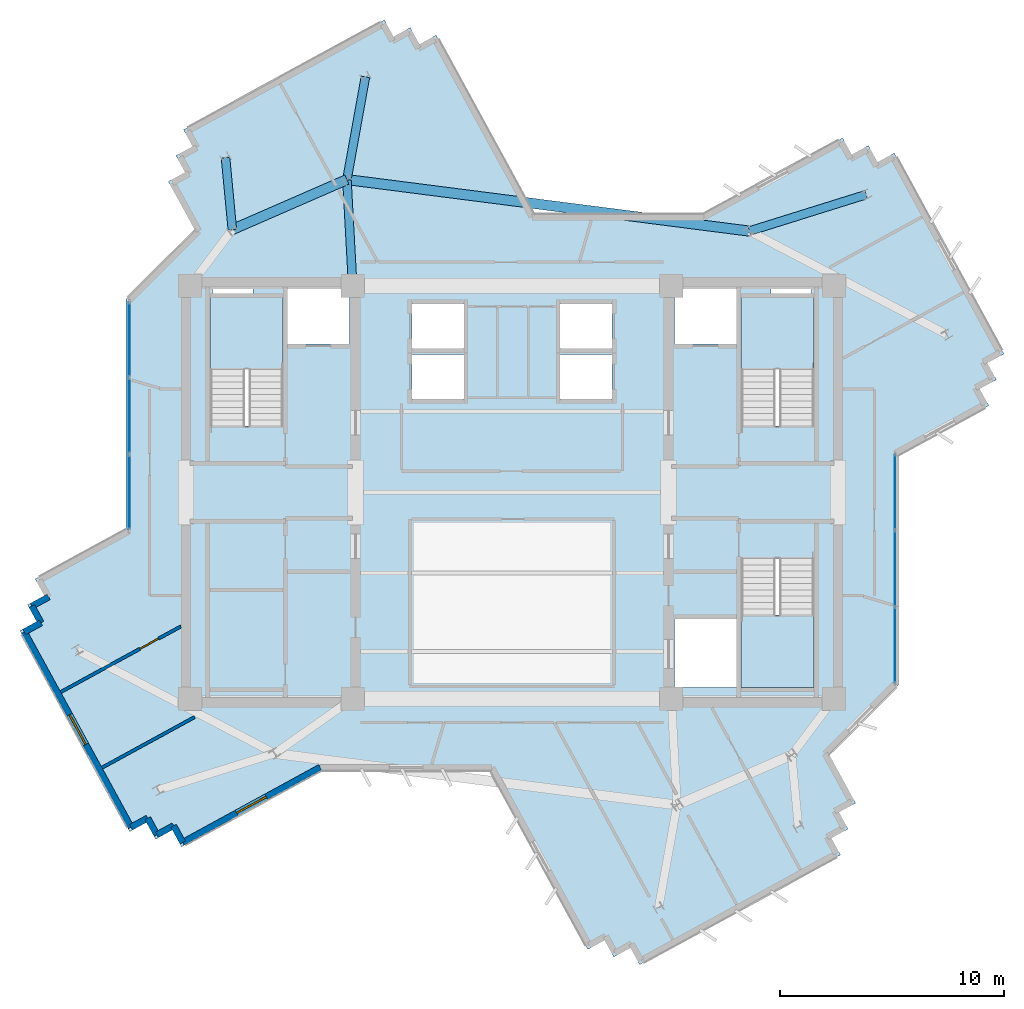
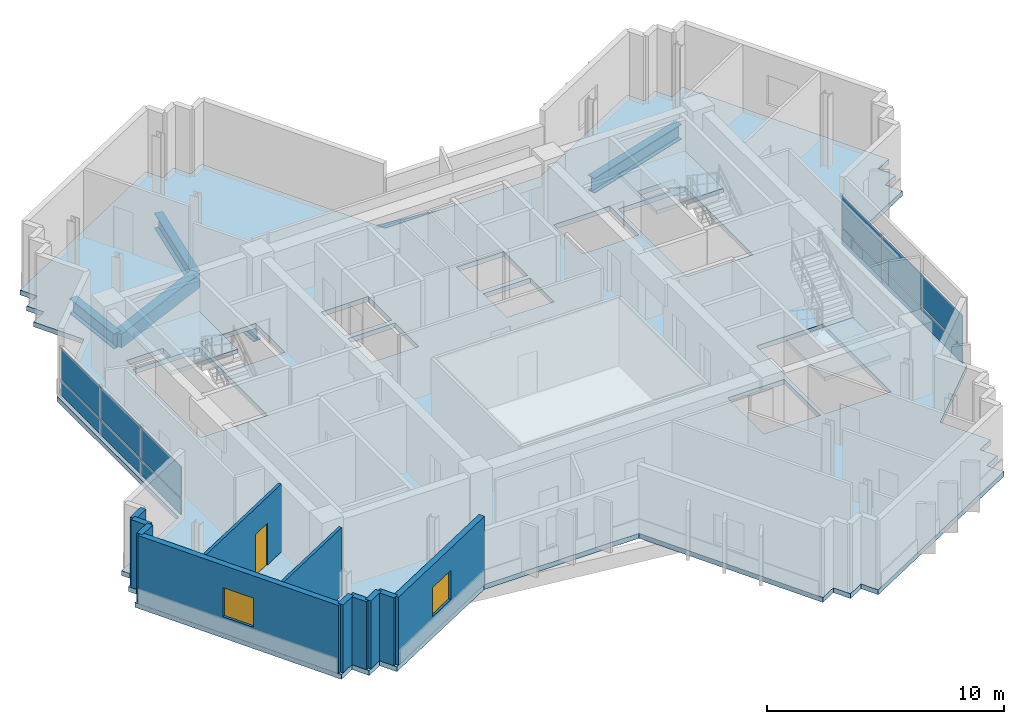
# One storey, part 4 of 13: 12 plates, 11 walls, 6 beams, 4 slabs, 2 windows, 1 door, 3 openings, 5 elements without a shape of their own.
"""IFC4 building model written with IfcOpenShell, lengths in metres."""

from ifc_helpers import new_model, si_unit, direction, frame, frame_2d, origin, origin_2d, place, context, subcontext, project, spatial, polyline, rectangle, i_section, outline, extrude, source, transform, mapped, material, layer, layer_set, material_profile, profile_set, type_object, element, fill, aggregate, save


model = new_model("IFC4")

# Units and contexts
model_context = context("Model", 3, precision=1e-05, world=origin(), true_north=direction((0.0, 1.0)))
body_context = subcontext(model_context, "Body", "Model", "MODEL_VIEW")
ifc_project = project(units=[si_unit("LENGTHUNIT", "METRE"), si_unit("AREAUNIT", "SQUARE_METRE"), si_unit("VOLUMEUNIT", "CUBIC_METRE"), si_unit("PLANEANGLEUNIT", "RADIAN"), si_unit("MASSUNIT", "GRAM", prefix="KILO")], contexts=[model_context])

# Site, building, storey
site_placement = place(None, origin())
site = spatial("IfcSite", under=ifc_project, at=site_placement, CompositionType="ELEMENT")
building_placement = place(site_placement, origin())
building = spatial("IfcBuilding", under=site, at=building_placement, Name="Zahravan Cultural Tower", CompositionType="ELEMENT")
storey_placement = place(building_placement, frame((0.0, 0.0, 254.10009765625)))
storey = spatial("IfcBuildingStorey", under=building, at=storey_placement, Name="L60", CompositionType="ELEMENT", Elevation=254.10009765625)

# Beams
ifc_material_1 = material(Name="Concrete C45/55", Category="concrete")
ifc_material_profile_1 = material_profile(ifc_material_1, rectangle(XDim=0.449951171875, YDim=0.719970703125, at=origin_2d()), Name="RC450X720")
ifc_profile_set_1 = profile_set([ifc_material_profile_1], Name="Concrete C45/55")
beam_type_1 = type_object("IfcBeamType", Name="BM-SP-RC450X720", PredefinedType="SPANDREL", material=ifc_profile_set_1)
shared_shape_1 = source(origin(), body_context, "Body", "SweptSolid", [
    extrude(rectangle(XDim=0.449951171875, YDim=0.719970703125, at=origin_2d()), origin(), (0.0, 0.0, 1.0), 18.081787109375),
])
beam_1_placement = place(storey_placement, frame((46.577880859375, 38.640625, -0.610107421875), z_axis=(-0.991900954377, 0.127013765812, 0.0), x_axis=(-0.127013765812, -0.991900954377, 0.0)))
element("IfcBeam", 1, at=beam_1_placement, inside=storey, type_object=beam_type_1, Name="L60 Beam SP-L60-22", PredefinedType="SPANDREL", context=body_context, shape_type="MappedRepresentation", body=[
    mapped(shared_shape_1, transform((0.0, 0.0, 0.0), x_axis=(1.0, 0.0, 0.0), y_axis=(0.0, 1.0, 0.0), z_axis=(0.0, 0.0, 1.0), scale=1.0)),
])
shared_shape_2 = source(origin(), body_context, "Body", "SweptSolid", [
    extrude(rectangle(XDim=0.449951171875, YDim=0.719970703125, at=origin_2d()), origin(), (0.0, 0.0, 1.0), 5.570556640625),
])
beam_2_placement = place(storey_placement, frame((28.642578125, 40.937255859375, -0.610107421875), z_axis=(-0.9166445026, -0.399703459896, 0.0), x_axis=(0.399703459896, -0.9166445026, 0.0)))
element("IfcBeam", 2, at=beam_2_placement, inside=storey, type_object=beam_type_1, Name="L60 Beam SP-L60-23", PredefinedType="SPANDREL", context=body_context, shape_type="MappedRepresentation", body=[
    mapped(shared_shape_2, transform((0.0, 0.0, 0.0), x_axis=(1.0, 0.0, 0.0), y_axis=(0.0, 1.0, 0.0), z_axis=(0.0, 0.0, 1.0), scale=1.0)),
])
ifc_material_2 = material(Name="Steel ASTM A992 Grade 50", Category="steel")
ifc_material_profile_2 = material_profile(ifc_material_2, i_section(OverallWidth=0.382080078125, OverallDepth=0.779052734375, WebThickness=0.01806640625, FlangeThickness=0.030029296875, FilletRadius=0.01904296875, at=origin_2d()), Name="W30X191")
ifc_profile_set_2 = profile_set([ifc_material_profile_2], Name="Steel ASTM A992 Grade 50")
beam_type_2 = type_object("IfcBeamType", Name="BM-G-W30X191", PredefinedType="BEAM", material=ifc_profile_set_2)
shared_shape_3 = source(origin(), body_context, "Body", "SweptSolid", [
    extrude(i_section(OverallWidth=0.382080078125, OverallDepth=0.779052734375, WebThickness=0.01806640625, FlangeThickness=0.030029296875, FilletRadius=0.01904296875, at=origin_2d()), origin(), (0.0, 0.0, 1.0), 4.744384765625),
])
beam_3_placement = place(storey_placement, frame((28.89990234375, 36.199951171875, -0.6396484375), z_axis=(-0.054238739845, 0.998527996152, 0.0), x_axis=(-0.998527996152, -0.054238739845, 0.0)))
element("IfcBeam", 3, at=beam_3_placement, inside=storey, type_object=beam_type_2, Name="L60 Beam BG-L60-10", PredefinedType="BEAM", context=body_context, shape_type="MappedRepresentation", body=[
    mapped(shared_shape_3, transform((0.0, 0.0, 0.0), x_axis=(1.0, 0.0, 0.0), y_axis=(0.0, 1.0, 0.0), z_axis=(0.0, 0.0, 1.0), scale=1.0)),
])
shared_shape_4 = source(origin(), body_context, "Body", "SweptSolid", [
    extrude(i_section(OverallWidth=0.382080078125, OverallDepth=0.779052734375, WebThickness=0.01806640625, FlangeThickness=0.030029296875, FilletRadius=0.01904296875, at=origin_2d()), origin(), (0.0, 0.0, 1.0), 5.450927734375),
])
beam_4_placement = place(storey_placement, frame((46.577880859375, 38.640625, -0.6396484375), z_axis=(0.954416996605, 0.298476459025, 0.0), x_axis=(-0.298476459025, 0.954416996605, 0.0)))
element("IfcBeam", 4, at=beam_4_placement, inside=storey, type_object=beam_type_2, Name="L60 Beam BG-L60-13", PredefinedType="BEAM", context=body_context, shape_type="MappedRepresentation", body=[
    mapped(shared_shape_4, transform((0.0, 0.0, 0.0), x_axis=(1.0, 0.0, 0.0), y_axis=(0.0, 1.0, 0.0), z_axis=(0.0, 0.0, 1.0), scale=1.0)),
])
shared_shape_5 = source(origin(), body_context, "Body", "SweptSolid", [
    extrude(i_section(OverallWidth=0.382080078125, OverallDepth=0.779052734375, WebThickness=0.01806640625, FlangeThickness=0.030029296875, FilletRadius=0.01904296875, at=origin_2d()), origin(), (0.0, 0.0, 1.0), 4.65087890625),
])
beam_5_placement = place(storey_placement, frame((28.642578125, 40.937255859375, -0.6396484375), z_axis=(0.177425522697, 0.984134230629, 0.0), x_axis=(-0.984134230629, 0.177425522697, 0.0)))
element("IfcBeam", 5, at=beam_5_placement, inside=storey, type_object=beam_type_2, Name="L60 Beam BG-L60-14", PredefinedType="BEAM", context=body_context, shape_type="MappedRepresentation", body=[
    mapped(shared_shape_5, transform((0.0, 0.0, 0.0), x_axis=(1.0, 0.0, 0.0), y_axis=(0.0, 1.0, 0.0), z_axis=(0.0, 0.0, 1.0), scale=1.0)),
])
shared_shape_6 = source(origin(), body_context, "Body", "SweptSolid", [
    extrude(i_section(OverallWidth=0.382080078125, OverallDepth=0.779052734375, WebThickness=0.01806640625, FlangeThickness=0.030029296875, FilletRadius=0.01904296875, at=origin_2d()), origin(), (0.0, 0.0, 1.0), 3.218017578125),
])
beam_6_placement = place(storey_placement, frame((23.536376953125, 38.710693359375, -0.6396484375), z_axis=(-0.094454641962, 0.995529166128, 0.0), x_axis=(-0.995529166128, -0.094454641962, 0.0)))
element("IfcBeam", 6, at=beam_6_placement, inside=storey, type_object=beam_type_2, Name="L60 Beam BG-L60-15", PredefinedType="BEAM", context=body_context, shape_type="MappedRepresentation", body=[
    mapped(shared_shape_6, transform((0.0, 0.0, 0.0), x_axis=(1.0, 0.0, 0.0), y_axis=(0.0, 1.0, 0.0), z_axis=(0.0, 0.0, 1.0), scale=1.0)),
])

# Stair, slab
stair_type = type_object("IfcStairType", Name="STR-DL-1550-375", PredefinedType="HALF_TURN_STAIR", material=ifc_material_1)
stair_1_placement = place(storey_placement, origin())
stair_1 = element("IfcStair", 7, at=stair_1_placement, inside=storey, type_object=stair_type, Name="L60 West Core North Exit Stair ST-W1", PredefinedType="HALF_TURN_STAIR")
ifc_layer_1 = layer(ifc_material_1, 0.199951171875)
ifc_layer_set_1 = layer_set([ifc_layer_1], Name="Concrete C45/55")
slab_type_1 = type_object("IfcSlabType", Name="SL-STAIR-LND200", PredefinedType="LANDING", material=ifc_layer_set_1)
slab_1_placement = place(storey_placement, frame((0.0, 0.0, 1.6748046875)))
slab_1 = element("IfcSlab", 8, at=slab_1_placement, type_object=slab_type_1, Name="ST-W1 landing 1", PredefinedType="LANDING", context=body_context, shape_type="SweptSolid", body=[
    extrude(outline(polyline([(25.800048828125, 32.469970703125), (25.800048828125, 35.699951171875), (22.550048828125, 35.699951171875), (22.550048828125, 32.469970703125), (25.800048828125, 32.469970703125)])), origin(), (0.0, 0.0, 1.0), 0.2001953125),
])
aggregate(stair_1, [slab_1])

stair_2_placement = place(storey_placement, origin())
stair_2 = element("IfcStair", 9, at=stair_2_placement, inside=storey, type_object=stair_type, Name="L60 East Core North Exit Stair ST-E1", PredefinedType="HALF_TURN_STAIR")
slab_2_placement = place(storey_placement, frame((0.0, 0.0, 1.6748046875)))
slab_2 = element("IfcSlab", 10, at=slab_2_placement, type_object=slab_type_1, Name="ST-E1 landing 1", PredefinedType="LANDING", context=body_context, shape_type="SweptSolid", body=[
    extrude(outline(polyline([(49.449951171875, 32.469970703125), (49.449951171875, 35.699951171875), (46.199951171875, 35.699951171875), (46.199951171875, 32.469970703125), (49.449951171875, 32.469970703125)])), origin(), (0.0, 0.0, 1.0), 0.2001953125),
])
aggregate(stair_2, [slab_2])

stair_3_placement = place(storey_placement, origin())
stair_3 = element("IfcStair", 11, at=stair_3_placement, inside=storey, type_object=stair_type, Name="L60 East Core South Exit Stair ST-E2", PredefinedType="HALF_TURN_STAIR")
slab_3_placement = place(storey_placement, frame((0.0, 0.0, 1.6748046875)))
slab_3 = element("IfcSlab", 12, at=slab_3_placement, type_object=slab_type_1, Name="ST-E2 landing 1", PredefinedType="LANDING", context=body_context, shape_type="SweptSolid", body=[
    extrude(outline(polyline([(46.199951171875, 21.530029296875), (46.199951171875, 18.300048828125), (49.449951171875, 18.300048828125), (49.449951171875, 21.530029296875), (46.199951171875, 21.530029296875)])), origin(), (0.0, 0.0, 1.0), 0.2001953125),
])
aggregate(stair_3, [slab_3])

# Slab
ifc_material_3 = material(Name="Concrete C40/50", Category="concrete")
ifc_layer_2 = layer(ifc_material_3, 0.25)
ifc_layer_set_2 = layer_set([ifc_layer_2], Name="Concrete C40/50")
slab_type_2 = type_object("IfcSlabType", Name="SL-TYP-250", PredefinedType="FLOOR", material=ifc_layer_set_2)
slab_4_placement = place(storey_placement, frame((0.0, 0.0, -0.25)))
element("IfcSlab", 13, at=slab_4_placement, inside=storey, type_object=slab_type_2, Name="L60 Structural Floor Slab", PredefinedType="FLOOR", context=body_context, shape_type="SweptSolid", body=[
    extrude(outline(polyline([(44.513427734375, 39.39990234375), (36.97412109375, 39.39990234375), (32.617919921875, 47.372802734375), (31.8720703125, 46.96533203125), (31.464599609375, 47.711181640625), (30.718505859375, 47.3037109375), (30.31103515625, 48.049560546875), (21.35986328125, 43.1591796875), (21.767578125, 42.4130859375), (21.021484375, 42.005615234375), (21.42919921875, 41.259765625), (20.68310546875, 40.852294921875), (21.87353515625, 38.673583984375), (18.800048828125, 35.60009765625), (18.800048828125, 25.3515625), (14.74951171875, 23.138671875), (15.156982421875, 22.392578125), (14.4111328125, 21.985107421875), (14.81884765625, 21.2392578125), (14.07275390625, 20.83154296875), (18.96337890625, 11.880615234375), (19.709228515625, 12.2880859375), (20.11669921875, 11.5419921875), (20.86279296875, 11.94970703125), (21.270263671875, 11.20361328125), (27.486572265625, 14.60009765625), (35.02587890625, 14.60009765625), (39.382080078125, 6.627197265625), (40.1279296875, 7.03466796875), (40.535400390625, 6.288818359375), (41.281494140625, 6.6962890625), (41.68896484375, 5.950439453125), (50.64013671875, 10.8408203125), (50.232421875, 11.5869140625), (50.978515625, 11.994384765625), (50.57080078125, 12.740234375), (51.31689453125, 13.147705078125), (50.12646484375, 15.326416015625), (53.199951171875, 18.39990234375), (53.199951171875, 28.6484375), (57.25048828125, 30.861328125), (56.843017578125, 31.607421875), (57.5888671875, 32.014892578125), (57.18115234375, 32.7607421875), (57.92724609375, 33.16845703125), (53.03662109375, 42.119384765625), (52.290771484375, 41.7119140625), (51.88330078125, 42.4580078125), (51.13720703125, 42.05029296875), (50.729736328125, 42.79638671875), (44.513427734375, 39.39990234375)]), holes=[polyline([(22.550048828125, 29.949951171875), (22.550048828125, 35.699951171875), (25.800048828125, 35.699951171875), (25.800048828125, 29.949951171875), (22.550048828125, 29.949951171875)]), polyline([(46.199951171875, 29.949951171875), (46.199951171875, 35.699951171875), (49.449951171875, 35.699951171875), (49.449951171875, 29.949951171875), (46.199951171875, 29.949951171875)]), polyline([(46.199951171875, 18.300048828125), (46.199951171875, 24.050048828125), (49.449951171875, 24.050048828125), (49.449951171875, 18.300048828125), (46.199951171875, 18.300048828125)]), polyline([(26.0, 33.60009765625), (26.0, 36.050048828125), (28.75, 36.050048828125), (28.75, 33.60009765625), (26.0, 33.60009765625)]), polyline([(43.25, 33.60009765625), (43.25, 36.050048828125), (46.0, 36.050048828125), (46.0, 33.60009765625), (43.25, 33.60009765625)]), polyline([(43.25, 18.300048828125), (43.25, 21.35009765625), (46.0, 21.35009765625), (46.0, 18.300048828125), (43.25, 18.300048828125)]), polyline([(31.550048828125, 33.39990234375), (31.550048828125, 35.39990234375), (33.85009765625, 35.39990234375), (33.85009765625, 33.39990234375), (31.550048828125, 33.39990234375)]), polyline([(31.550048828125, 31.14990234375), (31.550048828125, 33.14990234375), (33.85009765625, 33.14990234375), (33.85009765625, 31.14990234375), (31.550048828125, 31.14990234375)]), polyline([(38.14990234375, 33.39990234375), (38.14990234375, 35.39990234375), (40.449951171875, 35.39990234375), (40.449951171875, 33.39990234375), (38.14990234375, 33.39990234375)]), polyline([(38.14990234375, 31.14990234375), (38.14990234375, 33.14990234375), (40.449951171875, 33.14990234375), (40.449951171875, 31.14990234375), (38.14990234375, 31.14990234375)]), polyline([(22.64990234375, 35.800048828125), (22.64990234375, 36.419921875), (24.449951171875, 36.419921875), (24.449951171875, 35.800048828125), (22.64990234375, 35.800048828125)]), polyline([(47.550048828125, 35.800048828125), (47.550048828125, 36.419921875), (49.35009765625, 36.419921875), (49.35009765625, 35.800048828125), (47.550048828125, 35.800048828125)])]), origin(), (0.0, 0.0, 1.0), 0.25),
])

# Curtain wall, plates
ifc_material_4 = material(Name="Anodised bronze-aluminium mullion", Category="aluminium")
ifc_layer_3 = layer(ifc_material_4, 0.1650390625)
ifc_layer_set_3 = layer_set([ifc_layer_3], Name="Anodised bronze-aluminium mullion")
curtain_wall_type_1 = type_object("IfcCurtainWallType", Name="CW-SYS-4", PredefinedType="USERDEFINED", material=ifc_layer_set_3)
curtain_wall_1_placement = place(storey_placement, origin())
curtain_wall_1 = element("IfcCurtainWall", 14, at=curtain_wall_1_placement, inside=storey, type_object=curtain_wall_type_1, Name="L60 Recessed Curtain Wall CW-4.1", ObjectType="RECESSED GLAZING", PredefinedType="USERDEFINED")
ifc_material_5 = material(Name="Low-E solar-control double glazing", Category="glass")
ifc_layer_4 = layer(ifc_material_5, 0.02587890625)
ifc_layer_set_4 = layer_set([ifc_layer_4], Name="Low-E solar-control double glazing")
plate_type_1 = type_object("IfcPlateType", Name="CWP-CW-4", PredefinedType="CURTAIN_PANEL", material=ifc_layer_set_4)
shared_shape_7 = source(origin(), body_context, "Body", "SweptSolid", [
    extrude(rectangle(XDim=3.326904296875, YDim=0.02587890625, at=origin_2d()), origin(), (0.0, 0.0, 1.0), 0.802490234375),
])
plate_1_placement = place(storey_placement, frame((53.06005859375, 27.0029296875, 0.06494140625), z_axis=(0.0, 0.0, 1.0), x_axis=(0.0, -1.0, 0.0)))
plate_1 = element("IfcPlate", 15, at=plate_1_placement, type_object=plate_type_1, Name="CW-4 panel 1.1", PredefinedType="CURTAIN_PANEL", context=body_context, shape_type="MappedRepresentation", body=[
    mapped(shared_shape_7, transform((0.0, 0.0, 0.0), x_axis=(1.0, 0.0, 0.0), y_axis=(0.0, 1.0, 0.0), z_axis=(0.0, 0.0, 1.0), scale=1.0)),
])
plate_2_placement = place(storey_placement, frame((53.06005859375, 20.1865234375, 0.06494140625), z_axis=(0.0, 0.0, 1.0), x_axis=(0.0, -1.0, 0.0)))
plate_2 = element("IfcPlate", 16, at=plate_2_placement, type_object=plate_type_1, Name="CW-4 panel 3.1", PredefinedType="CURTAIN_PANEL", context=body_context, shape_type="MappedRepresentation", body=[
    mapped(shared_shape_7, transform((0.0, 0.0, 0.0), x_axis=(1.0, 0.0, 0.0), y_axis=(0.0, 1.0, 0.0), z_axis=(0.0, 0.0, 1.0), scale=1.0)),
])
shared_shape_8 = source(origin(), body_context, "Body", "SweptSolid", [
    extrude(rectangle(XDim=3.326904296875, YDim=0.02587890625, at=origin_2d()), origin(), (0.0, 0.0, 1.0), 1.62255859375),
])
plate_3_placement = place(storey_placement, frame((53.06005859375, 27.0029296875, 0.932373046875), z_axis=(0.0, 0.0, 1.0), x_axis=(0.0, -1.0, 0.0)))
plate_3 = element("IfcPlate", 17, at=plate_3_placement, type_object=plate_type_1, Name="CW-4 panel 1.2", PredefinedType="CURTAIN_PANEL", context=body_context, shape_type="MappedRepresentation", body=[
    mapped(shared_shape_8, transform((0.0, 0.0, 0.0), x_axis=(1.0, 0.0, 0.0), y_axis=(0.0, 1.0, 0.0), z_axis=(0.0, 0.0, 1.0), scale=1.0)),
])
plate_4_placement = place(storey_placement, frame((53.06005859375, 20.1865234375, 0.932373046875), z_axis=(0.0, 0.0, 1.0), x_axis=(0.0, -1.0, 0.0)))
plate_4 = element("IfcPlate", 18, at=plate_4_placement, type_object=plate_type_1, Name="CW-4 panel 3.2", PredefinedType="CURTAIN_PANEL", context=body_context, shape_type="MappedRepresentation", body=[
    mapped(shared_shape_8, transform((0.0, 0.0, 0.0), x_axis=(1.0, 0.0, 0.0), y_axis=(0.0, 1.0, 0.0), z_axis=(0.0, 0.0, 1.0), scale=1.0)),
])
shared_shape_9 = source(origin(), body_context, "Body", "SweptSolid", [
    extrude(rectangle(XDim=3.359619140625, YDim=0.02587890625, at=origin_2d()), origin(), (0.0, 0.0, 1.0), 0.802490234375),
])
plate_5_placement = place(storey_placement, frame((53.06005859375, 23.5947265625, 0.06494140625), z_axis=(0.0, 0.0, 1.0), x_axis=(0.0, -1.0, 0.0)))
plate_5 = element("IfcPlate", 19, at=plate_5_placement, type_object=plate_type_1, Name="CW-4 panel 2.1", PredefinedType="CURTAIN_PANEL", context=body_context, shape_type="MappedRepresentation", body=[
    mapped(shared_shape_9, transform((0.0, 0.0, 0.0), x_axis=(1.0, 0.0, 0.0), y_axis=(0.0, 1.0, 0.0), z_axis=(0.0, 0.0, 1.0), scale=1.0)),
])
shared_shape_10 = source(origin(), body_context, "Body", "SweptSolid", [
    extrude(rectangle(XDim=3.359619140625, YDim=0.02587890625, at=origin_2d()), origin(), (0.0, 0.0, 1.0), 1.62255859375),
])
plate_6_placement = place(storey_placement, frame((53.06005859375, 23.5947265625, 0.932373046875), z_axis=(0.0, 0.0, 1.0), x_axis=(0.0, -1.0, 0.0)))
plate_6 = element("IfcPlate", 20, at=plate_6_placement, type_object=plate_type_1, Name="CW-4 panel 2.2", PredefinedType="CURTAIN_PANEL", context=body_context, shape_type="MappedRepresentation", body=[
    mapped(shared_shape_10, transform((0.0, 0.0, 0.0), x_axis=(1.0, 0.0, 0.0), y_axis=(0.0, 1.0, 0.0), z_axis=(0.0, 0.0, 1.0), scale=1.0)),
])
aggregate(curtain_wall_1, [plate_1, plate_3, plate_5, plate_6, plate_2, plate_4])

ifc_layer_5 = layer(ifc_material_4, 0.219970703125)
ifc_layer_set_5 = layer_set([ifc_layer_5], Name="Anodised bronze-aluminium mullion")
curtain_wall_type_2 = type_object("IfcCurtainWallType", Name="CW-SYS-1", PredefinedType="USERDEFINED", material=ifc_layer_set_5)
curtain_wall_2_placement = place(storey_placement, origin())
curtain_wall_2 = element("IfcCurtainWall", 21, at=curtain_wall_2_placement, inside=storey, type_object=curtain_wall_type_2, Name="L60 Recessed Curtain Wall CW-1.2", ObjectType="RECESSED GLAZING", PredefinedType="USERDEFINED")
ifc_layer_6 = layer(ifc_material_5, 0.031982421875)
ifc_layer_set_6 = layer_set([ifc_layer_6], Name="Low-E solar-control double glazing")
plate_type_2 = type_object("IfcPlateType", Name="CWP-CW-1", PredefinedType="CURTAIN_PANEL", material=ifc_layer_set_6)
shared_shape_11 = source(origin(), body_context, "Body", "SweptSolid", [
    extrude(rectangle(XDim=3.304443359375, YDim=0.031982421875, at=origin_2d()), origin(), (0.0, 0.0, 1.0), 0.780029296875),
])
plate_7_placement = place(storey_placement, frame((18.93994140625, 27.000732421875, 0.080078125), z_axis=(0.0, 0.0, 1.0), x_axis=(0.0, 1.0, 0.0)))
plate_7 = element("IfcPlate", 22, at=plate_7_placement, type_object=plate_type_2, Name="CW-1 panel 1.1", PredefinedType="CURTAIN_PANEL", context=body_context, shape_type="MappedRepresentation", body=[
    mapped(shared_shape_11, transform((0.0, 0.0, 0.0), x_axis=(1.0, 0.0, 0.0), y_axis=(0.0, 1.0, 0.0), z_axis=(0.0, 0.0, 1.0), scale=1.0)),
])
plate_8_placement = place(storey_placement, frame((18.93994140625, 33.809814453125, 0.080078125), z_axis=(0.0, 0.0, 1.0), x_axis=(0.0, 1.0, 0.0)))
plate_8 = element("IfcPlate", 23, at=plate_8_placement, type_object=plate_type_2, Name="CW-1 panel 3.1", PredefinedType="CURTAIN_PANEL", context=body_context, shape_type="MappedRepresentation", body=[
    mapped(shared_shape_11, transform((0.0, 0.0, 0.0), x_axis=(1.0, 0.0, 0.0), y_axis=(0.0, 1.0, 0.0), z_axis=(0.0, 0.0, 1.0), scale=1.0)),
])
shared_shape_12 = source(origin(), body_context, "Body", "SweptSolid", [
    extrude(rectangle(XDim=3.304443359375, YDim=0.031982421875, at=origin_2d()), origin(), (0.0, 0.0, 1.0), 1.60009765625),
])
plate_9_placement = place(storey_placement, frame((18.93994140625, 27.000732421875, 0.93994140625), z_axis=(0.0, 0.0, 1.0), x_axis=(0.0, 1.0, 0.0)))
plate_9 = element("IfcPlate", 24, at=plate_9_placement, type_object=plate_type_2, Name="CW-1 panel 1.2", PredefinedType="CURTAIN_PANEL", context=body_context, shape_type="MappedRepresentation", body=[
    mapped(shared_shape_12, transform((0.0, 0.0, 0.0), x_axis=(1.0, 0.0, 0.0), y_axis=(0.0, 1.0, 0.0), z_axis=(0.0, 0.0, 1.0), scale=1.0)),
])
plate_10_placement = place(storey_placement, frame((18.93994140625, 33.809814453125, 0.93994140625), z_axis=(0.0, 0.0, 1.0), x_axis=(0.0, 1.0, 0.0)))
plate_10 = element("IfcPlate", 25, at=plate_10_placement, type_object=plate_type_2, Name="CW-1 panel 3.2", PredefinedType="CURTAIN_PANEL", context=body_context, shape_type="MappedRepresentation", body=[
    mapped(shared_shape_12, transform((0.0, 0.0, 0.0), x_axis=(1.0, 0.0, 0.0), y_axis=(0.0, 1.0, 0.0), z_axis=(0.0, 0.0, 1.0), scale=1.0)),
])
shared_shape_13 = source(origin(), body_context, "Body", "SweptSolid", [
    extrude(rectangle(XDim=3.344482421875, YDim=0.031982421875, at=origin_2d()), origin(), (0.0, 0.0, 1.0), 0.780029296875),
])
plate_11_placement = place(storey_placement, frame((18.93994140625, 30.4052734375, 0.080078125), z_axis=(0.0, 0.0, 1.0), x_axis=(0.0, 1.0, 0.0)))
plate_11 = element("IfcPlate", 26, at=plate_11_placement, type_object=plate_type_2, Name="CW-1 panel 2.1", PredefinedType="CURTAIN_PANEL", context=body_context, shape_type="MappedRepresentation", body=[
    mapped(shared_shape_13, transform((0.0, 0.0, 0.0), x_axis=(1.0, 0.0, 0.0), y_axis=(0.0, 1.0, 0.0), z_axis=(0.0, 0.0, 1.0), scale=1.0)),
])
shared_shape_14 = source(origin(), body_context, "Body", "SweptSolid", [
    extrude(rectangle(XDim=3.344482421875, YDim=0.031982421875, at=origin_2d()), origin(), (0.0, 0.0, 1.0), 1.60009765625),
])
plate_12_placement = place(storey_placement, frame((18.93994140625, 30.4052734375, 0.93994140625), z_axis=(0.0, 0.0, 1.0), x_axis=(0.0, 1.0, 0.0)))
plate_12 = element("IfcPlate", 27, at=plate_12_placement, type_object=plate_type_2, Name="CW-1 panel 2.2", PredefinedType="CURTAIN_PANEL", context=body_context, shape_type="MappedRepresentation", body=[
    mapped(shared_shape_14, transform((0.0, 0.0, 0.0), x_axis=(1.0, 0.0, 0.0), y_axis=(0.0, 1.0, 0.0), z_axis=(0.0, 0.0, 1.0), scale=1.0)),
])
aggregate(curtain_wall_2, [plate_7, plate_9, plate_11, plate_12, plate_8, plate_10])

# Wall, opening, window
ifc_material_6 = material(Name="Precast concrete C40/50", Category="concrete")
ifc_layer_7 = layer(ifc_material_6, 0.280029296875)
ifc_layer_set_7 = layer_set([ifc_layer_7], Name="Precast concrete C40/50")
wall_type_1 = type_object("IfcWallType", Name="EW-TC-280", PredefinedType="SOLIDWALL", material=ifc_layer_set_7)
wall_1_placement = place(storey_placement, frame((27.45068359375, 14.739990234375, 0.0), z_axis=(0.0, 0.0, 1.0), x_axis=(-0.877569176667, -0.479450039279, 0.0)))
wall_1 = element("IfcWall", 28, at=wall_1_placement, inside=storey, type_object=wall_type_1, Name="L60 Exterior Masonry Frame Wall 25", PredefinedType="SOLIDWALL", context=body_context, shape_type="SweptSolid", body=[
    extrude(rectangle(XDim=6.979248046875, YDim=0.280029296875, at=frame_2d((3.48974609375, 0.0))), origin(), (0.0, 0.0, 1.0), 3.5),
])
opening_1_placement = place(wall_1_placement, frame((2.739990234375, 0.0, 0.85009765625)))
opening_1 = element("IfcOpeningElement", 29, at=opening_1_placement, cuts=wall_1, Name="Opening WN-03", PredefinedType="OPENING", context=body_context, shape_type="SweptSolid", body=[
    extrude(rectangle(XDim=1.5, YDim=1.5, at=frame_2d((0.75, 0.75))), frame((0.0, 0.14990234375, 0.0), z_axis=(0.0, -1.0, 0.0), x_axis=(1.0, 0.0, 0.0)), (0.0, 0.0, 1.0), 0.300048828125),
])
window_type = type_object("IfcWindowType", Name="WN-REC-1500X1500", PartitioningType="SINGLE_PANEL", PredefinedType="WINDOW", material=ifc_material_5)
shared_shape_15 = source(origin(), body_context, "Body", "SweptSolid", [
    extrude(rectangle(XDim=1.5, YDim=1.5, at=frame_2d((0.75, 0.75))), frame((0.0, 0.030029296875, 0.0), z_axis=(0.0, -1.0, 0.0), x_axis=(1.0, 0.0, 0.0)), (0.0, 0.0, 1.0), 0.06005859375),
])
window_1_placement = place(opening_1_placement, origin())
window_1 = element("IfcWindow", 30, at=window_1_placement, inside=storey, type_object=window_type, Name="L60 Recessed Solar Window 07", OverallHeight=1.5, OverallWidth=1.5, PartitioningType="SINGLE_PANEL", PredefinedType="WINDOW", context=body_context, shape_type="MappedRepresentation", body=[
    mapped(shared_shape_15, transform((0.0, 0.0, 0.0), x_axis=(1.0, 0.0, 0.0), y_axis=(0.0, 1.0, 0.0), z_axis=(0.0, 0.0, 1.0), scale=1.0)),
])
fill(opening_1, window_1)

wall_2_placement = place(storey_placement, frame((19.01904296875, 12.070556640625, 0.0), z_axis=(0.0, 0.0, 1.0), x_axis=(-0.479472774144, 0.877556755347, 0.0)))
wall_2 = element("IfcWall", 31, at=wall_2_placement, inside=storey, type_object=wall_type_1, Name="L60 Exterior Masonry Frame Wall 30", PredefinedType="SOLIDWALL", context=body_context, shape_type="SweptSolid", body=[
    extrude(rectangle(XDim=9.919921875, YDim=0.280029296875, at=frame_2d((4.9599609375, 0.0))), origin(), (0.0, 0.0, 1.0), 3.5),
])
opening_2_placement = place(wall_2_placement, frame((4.2099609375, 0.0, 0.85009765625)))
opening_2 = element("IfcOpeningElement", 32, at=opening_2_placement, cuts=wall_2, Name="Opening WN-03", PredefinedType="OPENING", context=body_context, shape_type="SweptSolid", body=[
    extrude(rectangle(XDim=1.5, YDim=1.5, at=frame_2d((0.75, 0.75))), frame((0.0, 0.14990234375, 0.0), z_axis=(0.0, -1.0, 0.0), x_axis=(1.0, 0.0, 0.0)), (0.0, 0.0, 1.0), 0.300048828125),
])
window_2_placement = place(opening_2_placement, origin())
window_2 = element("IfcWindow", 33, at=window_2_placement, inside=storey, type_object=window_type, Name="L60 Recessed Solar Window 08", OverallHeight=1.5, OverallWidth=1.5, PartitioningType="SINGLE_PANEL", PredefinedType="WINDOW", context=body_context, shape_type="MappedRepresentation", body=[
    mapped(shared_shape_15, transform((0.0, 0.0, 0.0), x_axis=(1.0, 0.0, 0.0), y_axis=(0.0, 1.0, 0.0), z_axis=(0.0, 0.0, 1.0), scale=1.0)),
])
fill(opening_2, window_2)

# Wall, opening, door
ifc_material_7 = material(Name="Gypsum plasterboard partition")
ifc_layer_8 = layer(ifc_material_7, 0.139892578125)
ifc_layer_set_8 = layer_set([ifc_layer_8], Name="Gypsum plasterboard partition")
wall_type_2 = type_object("IfcWallType", Name="W-PART-140", PredefinedType="PARTITIONING", material=ifc_layer_set_8)
wall_3_placement = place(storey_placement, frame((15.890625, 18.0986328125, 0.0), z_axis=(0.0, 0.0, 1.0), x_axis=(0.877574248726, 0.479440755436, 0.0)))
wall_3 = element("IfcWall", 34, at=wall_3_placement, inside=storey, type_object=wall_type_2, Name="L60 Interior Wall 052", PredefinedType="PARTITIONING", context=body_context, shape_type="SweptSolid", body=[
    extrude(rectangle(XDim=6.1015625, YDim=0.139892578125, at=frame_2d((3.05078125, 0.0))), origin(), (0.0, 0.0, 1.0), 3.5),
])
opening_3_placement = place(wall_3_placement, frame((4.01806640625, 0.0, 0.0)))
opening_3 = element("IfcOpeningElement", 35, at=opening_3_placement, cuts=wall_3, Name="Opening D-L60-26", PredefinedType="OPENING", context=body_context, shape_type="SweptSolid", body=[
    extrude(rectangle(XDim=0.949951171875, YDim=2.14990234375, at=frame_2d((0.47509765625, 1.074951171875))), frame((0.0, 0.079833984375, 0.0), z_axis=(0.0, -1.0, 0.0), x_axis=(1.0, 0.0, 0.0)), (0.0, 0.0, 1.0), 0.159912109375),
])
door_type = type_object("IfcDoorType", Name="DR-ROOM-950", OperationType="NOTDEFINED", PredefinedType="DOOR", material=ifc_material_4)
shared_shape_16 = source(origin(), body_context, "Body", "SweptSolid", [
    extrude(rectangle(XDim=0.949951171875, YDim=2.14990234375, at=frame_2d((0.47509765625, 1.074951171875))), frame((0.0, 0.02490234375, 0.0), z_axis=(0.0, -1.0, 0.0), x_axis=(1.0, 0.0, 0.0)), (0.0, 0.0, 1.0), 0.050048828125),
])
door_placement = place(opening_3_placement, origin())
door = element("IfcDoor", 36, at=door_placement, inside=storey, type_object=door_type, Name="L60 Door D-L60-26", OperationType="SINGLE_SWING_RIGHT", OverallHeight=2.14990234375, OverallWidth=0.949951171875, PredefinedType="DOOR", context=body_context, shape_type="MappedRepresentation", body=[
    mapped(shared_shape_16, transform((0.0, 0.0, 0.0), x_axis=(1.0, 0.0, 0.0), y_axis=(0.0, 1.0, 0.0), z_axis=(0.0, 0.0, 1.0), scale=1.0)),
])
fill(opening_3, door)

# Walls
shared_shape_17 = source(origin(), body_context, "Body", "SweptSolid", [
    extrude(rectangle(XDim=0.85009765625, YDim=0.280029296875, at=frame_2d((0.425048828125, 0.0))), origin(), (0.0, 0.0, 1.0), 3.5),
])
wall_4_placement = place(storey_placement, frame((20.172607421875, 11.732177734375, 0.0), z_axis=(0.0, 0.0, 1.0), x_axis=(-0.479656876283, 0.877456141943, 0.0)))
element("IfcWall", 37, at=wall_4_placement, inside=storey, type_object=wall_type_1, Name="L60 Exterior Masonry Frame Wall 28", PredefinedType="SOLIDWALL", context=body_context, shape_type="MappedRepresentation", body=[
    mapped(shared_shape_17, transform((0.0, 0.0, 0.0), x_axis=(1.0, 0.0, 0.0), y_axis=(0.0, 1.0, 0.0), z_axis=(0.0, 0.0, 1.0), scale=1.0)),
])
shared_shape_18 = source(origin(), body_context, "Body", "SweptSolid", [
    extrude(rectangle(XDim=0.849853515625, YDim=0.280029296875, at=frame_2d((0.4248046875, 0.0))), origin(), (0.0, 0.0, 1.0), 3.5),
])
for number, where, z_axis, x_axis, name in (
    (38, (21.325927734375, 11.393798828125, 0.0), (0.0, 0.0, 1.0), (-0.479435691737, 0.877577015132, 0.0), "L60 Exterior Masonry Frame Wall 26"),
    (39, (20.91845703125, 12.1396484375, 0.0), (0.0, 0.0, 1.0), (-0.877577015132, -0.479435691737, 0.0), "L60 Exterior Masonry Frame Wall 27"),
    (40, (19.764892578125, 12.47802734375, 0.0), (0.0, 0.0, 1.0), (-0.877577015132, -0.479435691737, 0.0), "L60 Exterior Masonry Frame Wall 29"),
    (41, (15.0087890625, 21.18359375, 0.0), (0.0, 0.0, 1.0), (-0.479435691737, 0.877577015132, 0.0), "L60 Exterior Masonry Frame Wall 32"),
    (42, (14.601318359375, 21.929443359375, 0.0), (0.0, 0.0, 1.0), (0.877577015132, 0.479435691737, 0.0), "L60 Exterior Masonry Frame Wall 33"),
):
    element("IfcWall", number, at=place(storey_placement, frame(where, z_axis=z_axis, x_axis=x_axis)), inside=storey, type_object=wall_type_1, Name=name, PredefinedType="SOLIDWALL", context=body_context, shape_type="MappedRepresentation", body=[
        mapped(shared_shape_18, transform((0.0, 0.0, 0.0), x_axis=(1.0, 0.0, 0.0), y_axis=(0.0, 1.0, 0.0), z_axis=(0.0, 0.0, 1.0), scale=1.0)),
    ])
shared_shape_19 = source(origin(), body_context, "Body", "SweptSolid", [
    extrude(rectangle(XDim=0.850341796875, YDim=0.280029296875, at=frame_2d((0.42529296875, 0.0))), origin(), (0.0, 0.0, 1.0), 3.5),
])
wall_5_placement = place(storey_placement, frame((14.2626953125, 20.77587890625, 0.0), z_axis=(0.0, 0.0, 1.0), x_axis=(0.87752219781, 0.479536017782, 0.0)))
element("IfcWall", 43, at=wall_5_placement, inside=storey, type_object=wall_type_1, Name="L60 Exterior Masonry Frame Wall 31", PredefinedType="SOLIDWALL", context=body_context, shape_type="MappedRepresentation", body=[
    mapped(shared_shape_19, transform((0.0, 0.0, 0.0), x_axis=(1.0, 0.0, 0.0), y_axis=(0.0, 1.0, 0.0), z_axis=(0.0, 0.0, 1.0), scale=1.0)),
])
shared_shape_20 = source(origin(), body_context, "Body", "SweptSolid", [
    extrude(rectangle(XDim=4.6953125, YDim=0.139892578125, at=frame_2d((2.34765625, 0.0))), origin(), (0.0, 0.0, 1.0), 3.5),
])
wall_6_placement = place(storey_placement, frame((21.852294921875, 16.97998046875, 0.0), z_axis=(0.0, 0.0, 1.0), x_axis=(-0.877559526902, -0.479467701461, 0.0)))
element("IfcWall", 44, at=wall_6_placement, inside=storey, type_object=wall_type_2, Name="L60 Interior Wall 051", PredefinedType="PARTITIONING", context=body_context, shape_type="MappedRepresentation", body=[
    mapped(shared_shape_20, transform((0.0, 0.0, 0.0), x_axis=(1.0, 0.0, 0.0), y_axis=(0.0, 1.0, 0.0), z_axis=(0.0, 0.0, 1.0), scale=1.0)),
])

save(model, "model.ifc")
